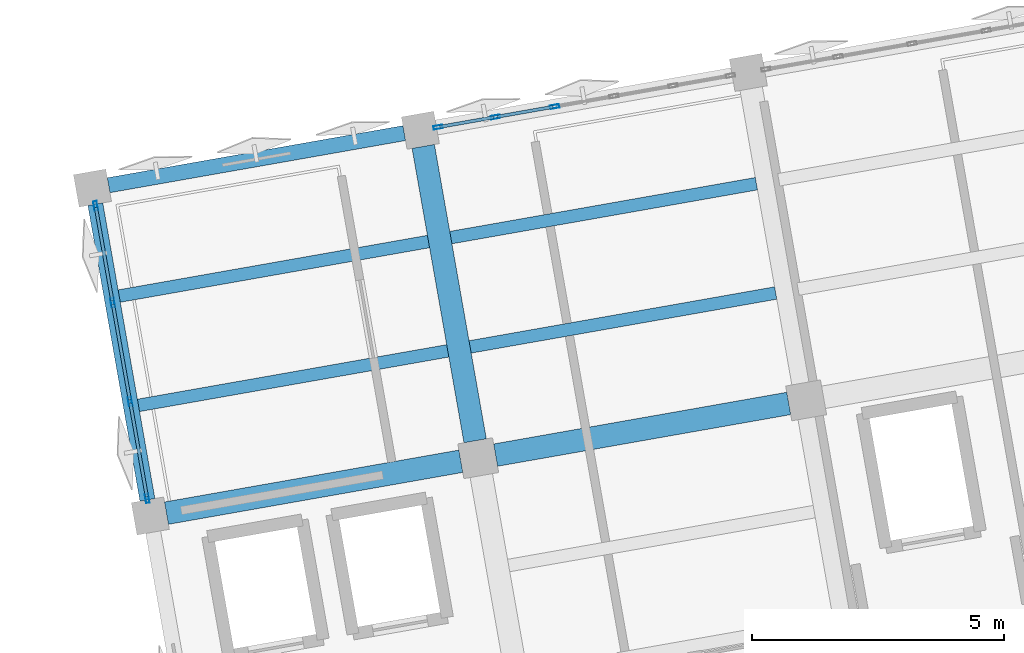
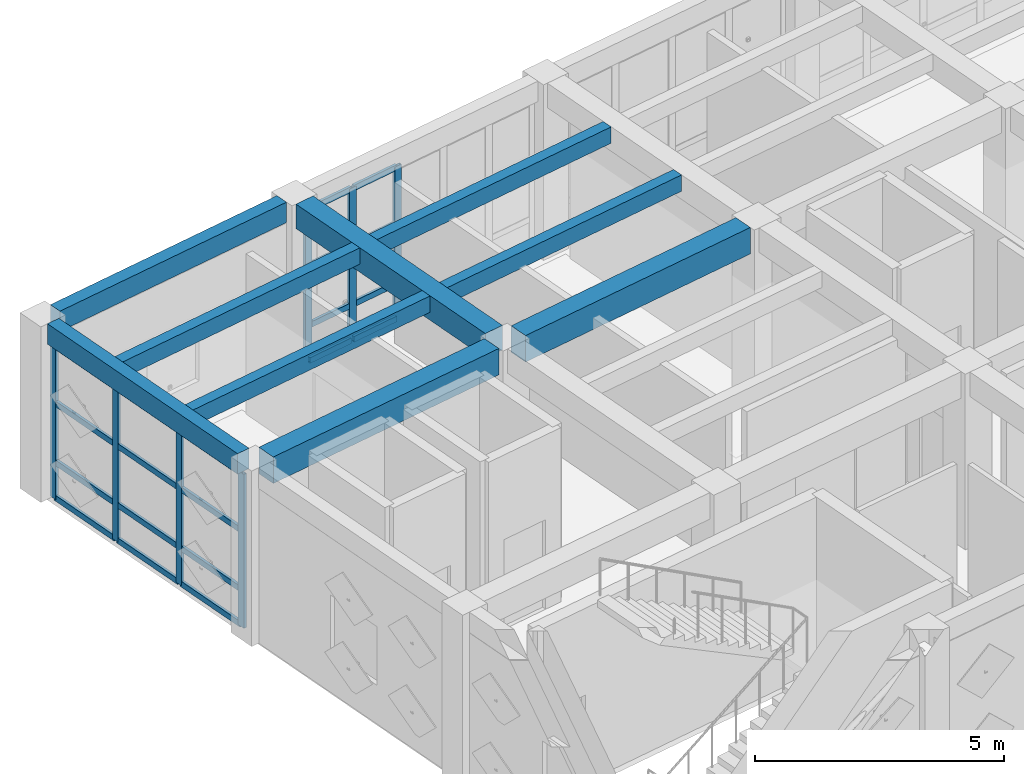
# One storey, part 14 of 48: 27 members, 9 beams, 2 elements without a shape of their own.
"""IFC4 building model written with IfcOpenShell, lengths in metres."""

import ifcopenshell
import ifcopenshell.guid

model = None  # the IFC model being written
_history = None  # IfcOwnerHistory: only IFC2X3 demands one
_inside = {}  # id of a spatial element -> (the spatial element, [elements in it])
_under = {}  # id of a project, library or spatial element -> (it, [spatial elements below it])
_declared = {}  # id of a project -> (the project, [libraries it declares])
_typed = {}  # id of a type object -> (the type object, [elements of that type])
_made_of = {}  # id of a material, layer set ... -> (it, [elements and type objects made of it])


def new_model(schema):
    """Start an empty IFC model of exactly this schema.

    Asked for "IFC4X3", IfcOpenShell would pick the latest addendum, in which some entities
    have other attributes; the version numbers below select the first issue.
    IFC2X3 requires an IfcOwnerHistory on every rooted entity: one is made here for all.
    """
    global model, _history
    if schema == "IFC4X3":
        model = ifcopenshell.file(schema_version=(4, 3, 0, 0))
    else:
        model = ifcopenshell.file(schema=schema)
    _inside.clear()
    _under.clear()
    _declared.clear()
    _typed.clear()
    _made_of.clear()
    _history = None
    if model.schema == "IFC2X3":
        org = make("IfcOrganization", Name="unknown")
        user = make(
            "IfcPersonAndOrganization",
            ThePerson=make("IfcPerson", FamilyName="unknown"),
            TheOrganization=org,
        )
        app = make(
            "IfcApplication",
            ApplicationDeveloper=org,
            Version="unknown",
            ApplicationFullName="unknown",
            ApplicationIdentifier="unknown",
        )
        _history = make(
            "IfcOwnerHistory",
            OwningUser=user,
            OwningApplication=app,
            ChangeAction="ADDED",
            CreationDate=0,
        )
    return model


def make(cls, **values):
    """One entity of the class cls with the attributes given. An attribute that is None is left unset."""
    return model.create_entity(
        cls, **{name: value for name, value in values.items() if value is not None}
    )


def rooted(cls, **values):
    """An entity with a GlobalId (a new one), such as an element, a storey or a relation."""
    return make(cls, GlobalId=ifcopenshell.guid.new(), OwnerHistory=_history, **values)


def si_unit(unit_type, name, prefix=None):
    """IfcSIUnit, for example si_unit("LENGTHUNIT", "METRE", prefix="MILLI")."""
    return make("IfcSIUnit", UnitType=unit_type, Prefix=prefix, Name=name)


def assignment(units):
    """IfcUnitAssignment: the units of a project."""
    return None if units is None else make("IfcUnitAssignment", Units=units)


def point(xyz):
    """IfcCartesianPoint."""
    return None if xyz is None else make("IfcCartesianPoint", Coordinates=xyz)


def direction(xyz):
    """IfcDirection."""
    return None if xyz is None else make("IfcDirection", DirectionRatios=xyz)


def frame(location, z_axis=None, x_axis=None):
    """IfcAxis2Placement3D, a coordinate frame: its origin and axes. An axis left out is left unset."""
    return make(
        "IfcAxis2Placement3D",
        Location=point(location),
        Axis=direction(z_axis),
        RefDirection=direction(x_axis),
    )


def frame_2d(location, x_axis=None):
    """IfcAxis2Placement2D, a coordinate frame in the plane: its origin and x axis."""
    return make(
        "IfcAxis2Placement2D", Location=point(location), RefDirection=direction(x_axis)
    )


def origin():
    """The frame at (0, 0, 0) with its axes left unset."""
    return frame((0.0, 0.0, 0.0))


def origin_2d():
    """The frame at (0, 0) in the plane with its x axis left unset."""
    return frame_2d((0.0, 0.0))


def place(relative_to, where):
    """IfcLocalPlacement: puts the frame where relative to a parent placement (None: the world)."""
    return make(
        "IfcLocalPlacement", PlacementRelTo=relative_to, RelativePlacement=where
    )


def context(
    kind, dimensions, precision=None, world=None, true_north=None, identifier=None
):
    """IfcGeometricRepresentationContext, for example the 3D "Model" context."""
    return make(
        "IfcGeometricRepresentationContext",
        ContextIdentifier=identifier,
        ContextType=kind,
        CoordinateSpaceDimension=dimensions,
        Precision=precision,
        WorldCoordinateSystem=world,
        TrueNorth=true_north,
    )


def subcontext(parent, identifier, kind, view, scale=None):
    """IfcGeometricRepresentationSubContext, for example "Body" below "Model"."""
    return make(
        "IfcGeometricRepresentationSubContext",
        ContextIdentifier=identifier,
        ContextType=kind,
        ParentContext=parent,
        TargetScale=scale,
        TargetView=view,
    )


def project(units=None, contexts=None):
    """IfcProject with its units and contexts."""
    return rooted(
        "IfcProject",
        Name="project",
        RepresentationContexts=contexts,
        UnitsInContext=assignment(units),
    )


def spatial(cls, under=None, at=None, **own):
    """A site, building, storey or space (cls), placed at a placement, below another one or the project."""
    s = rooted(cls, ObjectPlacement=at, **own)
    if under is not None:
        _under.setdefault(under.id(), (under, []))[1].append(s)
    return s


def profile(cls, at=None, kind="AREA", **sizes):
    """A parametric profile (cls). Its sizes go by their IFC names, for example OverallWidth=200.0."""
    return make(cls, ProfileType=kind, Position=at, **sizes)


def rectangle(**sizes):
    """IfcRectangleProfileDef."""
    return profile("IfcRectangleProfileDef", **sizes)


def hollow_rectangle(**sizes):
    """IfcRectangleHollowProfileDef."""
    return profile("IfcRectangleHollowProfileDef", **sizes)


def extrude(swept, where, along, depth):
    """IfcExtrudedAreaSolid: the profile swept, set in the frame where, extruded along a direction by depth."""
    return make(
        "IfcExtrudedAreaSolid",
        SweptArea=swept,
        Position=where,
        ExtrudedDirection=direction(along),
        Depth=depth,
    )


def shape(context_of_items, identifier, shape_type, items):
    """IfcShapeRepresentation: the items that make up one representation, for example the "Body"."""
    return make(
        "IfcShapeRepresentation",
        ContextOfItems=context_of_items,
        RepresentationIdentifier=identifier,
        RepresentationType=shape_type,
        Items=items,
    )


def material(Name=None, Category=None):
    """IfcMaterial."""
    return make("IfcMaterial", Name=Name, Category=Category)


def layer(
    of_material, thickness, ventilated=None, Name=None, Category=None, Priority=None
):
    """IfcMaterialLayer: one layer of a wall or slab, of a material (None: an air gap)."""
    return make(
        "IfcMaterialLayer",
        Material=of_material,
        LayerThickness=thickness,
        IsVentilated=ventilated,
        Name=Name,
        Category=Category,
        Priority=Priority,
    )


def layer_set(layers, Name=None):
    """IfcMaterialLayerSet."""
    return make("IfcMaterialLayerSet", MaterialLayers=layers, LayerSetName=Name)


def material_profile(
    of_material, cross_section, Name=None, Category=None, Priority=None
):
    """IfcMaterialProfile: a cross section and its material."""
    return make(
        "IfcMaterialProfile",
        Name=Name,
        Material=of_material,
        Profile=cross_section,
        Priority=Priority,
        Category=Category,
    )


def profile_set(profiles, Name=None, composite=None):
    """IfcMaterialProfileSet."""
    return make(
        "IfcMaterialProfileSet",
        Name=Name,
        MaterialProfiles=profiles,
        CompositeProfile=composite,
    )


def made_of(thing, what):
    """Note that an element or type object is made of a material, layer set ...; save() writes the relation."""
    if what is not None:
        _made_of.setdefault(what.id(), (what, []))[1].append(thing)
    return thing


def type_object(cls, material=None, **own):
    """A type object (cls), such as IfcWallType, which elements share."""
    return made_of(rooted(cls, **own), material)


def element(
    cls,
    number,
    at=None,
    inside=None,
    cuts=None,
    type_object=None,
    material=None,
    context=None,
    identifier="Body",
    shape_type=None,
    held_by="IfcProductDefinitionShape",
    body=None,
    shapes=None,
    **own,
):
    """One element of the class cls, such as IfcWall. Its Tag is "e" and its number.

    at: its placement. inside: the storey or other place that contains it. cuts: it is an
    opening in that element (IfcRelVoidsElement). A single representation is given by context,
    identifier, shape_type and body (its items); several are given by shapes. held_by: the class
    of the entity that holds the representations. save() writes the other relations.
    """
    e = rooted(cls, Tag="e%d" % number, ObjectPlacement=at, **own)
    if body is not None:
        shapes = [shape(context, identifier, shape_type, body)]
    if shapes is not None:
        e.Representation = make(held_by, Representations=shapes)
    if inside is not None:
        _inside.setdefault(inside.id(), (inside, []))[1].append(e)
    if cuts is not None:
        rooted(
            "IfcRelVoidsElement", RelatingBuildingElement=cuts, RelatedOpeningElement=e
        )
    if type_object is not None:
        _typed.setdefault(type_object.id(), (type_object, []))[1].append(e)
    return made_of(e, material)


def aggregate(whole, parts):
    """IfcRelAggregates: a whole, such as a stair, and the parts it consists of."""
    return rooted("IfcRelAggregates", RelatingObject=whole, RelatedObjects=parts)


def save(model, path):
    """Write the relations noted so far, then the file.

    IfcRelAggregates (storeys below a building ...), IfcRelContainedInSpatialStructure (elements
    in a storey), IfcRelDefinesByType, IfcRelAssociatesMaterial and IfcRelDeclares: one each for
    every whole, place, type object, material and project.
    """
    for whole, parts in _under.values():
        aggregate(whole, parts)
    for where, things in _inside.values():
        rooted(
            "IfcRelContainedInSpatialStructure",
            RelatedElements=things,
            RelatingStructure=where,
        )
    for kind, things in _typed.values():
        rooted("IfcRelDefinesByType", RelatedObjects=things, RelatingType=kind)
    for what, things in _made_of.values():
        rooted("IfcRelAssociatesMaterial", RelatedObjects=things, RelatingMaterial=what)
    for by, libraries in _declared.values():
        rooted("IfcRelDeclares", RelatingContext=by, RelatedDefinitions=libraries)
    model.write(path)


model = new_model("IFC4")

# Units and contexts
model_context = context("Model", 3, precision=1e-05, world=origin(), true_north=direction((0.0, 1.0)))
body_context = subcontext(model_context, "Body", "Model", "MODEL_VIEW")
ifc_project = project(units=[si_unit("LENGTHUNIT", "METRE"), si_unit("AREAUNIT", "SQUARE_METRE"), si_unit("VOLUMEUNIT", "CUBIC_METRE"), si_unit("PLANEANGLEUNIT", "RADIAN"), si_unit("MASSUNIT", "GRAM", prefix="KILO")], contexts=[model_context])

# Site, building, storey
site_placement = place(None, origin())
site = spatial("IfcSite", under=ifc_project, at=site_placement, CompositionType="ELEMENT")
building_placement = place(site_placement, origin())
building = spatial("IfcBuilding", under=site, at=building_placement, Name="Kharisveld Research Institute", CompositionType="ELEMENT")
storey_placement = place(building_placement, frame((0.0, 0.0, 14.10009765625)))
storey = spatial("IfcBuildingStorey", under=building, at=storey_placement, Name="L03", CompositionType="ELEMENT", Elevation=14.10009765625)

# Beams
ifc_material_1 = material(Name="Concrete C40/50", Category="concrete")
ifc_material_profile_1 = material_profile(ifc_material_1, rectangle(XDim=0.449951171875, YDim=0.60009765625, at=origin_2d()))
ifc_profile_set_1 = profile_set([ifc_material_profile_1], Name="Concrete C40/50")
beam_type_1 = type_object("IfcBeamType", Name="BM_RC_450x600", PredefinedType="BEAM", material=ifc_profile_set_1)
beam_1_placement = place(storey_placement, frame((9.3466796875, 49.500244140625, 4.010009765625), z_axis=(-0.173639592071, 0.984809266846, 0.0), x_axis=(-0.984809266846, -0.173639592071, 0.0)))
element("IfcBeam", 1, at=beam_1_placement, inside=storey, type_object=beam_type_1, Name="BM:V1:L03:V1_2", PredefinedType="BEAM", context=body_context, shape_type="SweptSolid", body=[
    extrude(rectangle(XDim=0.449951171875, YDim=0.60009765625, at=origin_2d()), origin(), (0.0, 0.0, 1.0), 5.925048828125),
])
ifc_material_2 = material(Name="Concrete C40/50", Category="concrete")
ifc_material_profile_2 = material_profile(ifc_material_2, rectangle(XDim=0.449951171875, YDim=0.64990234375, at=origin_2d()))
ifc_profile_set_2 = profile_set([ifc_material_profile_2], Name="Concrete C40/50")
beam_type_2 = type_object("IfcBeamType", Name="BM_RC_450x650", PredefinedType="BEAM", material=ifc_profile_set_2)
beam_2_placement = place(storey_placement, frame((3.22802734375, 48.06591796875, 3.98486328125), z_axis=(0.984809266846, 0.173639592071, 0.0), x_axis=(-0.173639592071, 0.984809266846, 0.0)))
element("IfcBeam", 2, at=beam_2_placement, inside=storey, type_object=beam_type_2, Name="BM:V1:L03:U0_2", PredefinedType="BEAM", context=body_context, shape_type="SweptSolid", body=[
    extrude(rectangle(XDim=0.449951171875, YDim=0.64990234375, at=origin_2d()), origin(), (0.0, 0.0, 1.0), 5.925048828125),
])
beam_3_placement = place(storey_placement, frame((9.752197265625, 49.21630859375, 3.98486328125), z_axis=(0.98481187206, 0.173624815763, 0.0), x_axis=(-0.173624815763, 0.98481187206, 0.0)))
element("IfcBeam", 3, at=beam_3_placement, inside=storey, type_object=beam_type_2, Name="BM:V1:L03:U1_2", PredefinedType="BEAM", context=body_context, shape_type="SweptSolid", body=[
    extrude(rectangle(XDim=0.449951171875, YDim=0.64990234375, at=origin_2d()), origin(), (0.0, 0.0, 1.0), 5.900146484375),
])

# Curtain wall, members
ifc_material_3 = material(Name="Thermally Broken Aluminium Curtain Wall", Category="aluminium")
ifc_layer_1 = layer(ifc_material_3, 0.159912109375)
ifc_layer_set_1 = layer_set([ifc_layer_1], Name="CW_SYS_06")
curtain_wall_type_1 = type_object("IfcCurtainWallType", Name="CW_SYS_06", PredefinedType="NOTDEFINED", material=ifc_layer_set_1)
curtain_wall_1_placement = place(storey_placement, origin())
curtain_wall_1 = element("IfcCurtainWall", 4, at=curtain_wall_1_placement, inside=storey, type_object=curtain_wall_type_1, Name="CW:V1:L03:W2", PredefinedType="NOTDEFINED")
ifc_material_4 = material(Name="Anodised Aluminium AW-6063-T6", Category="aluminium")
ifc_material_profile_3 = material_profile(ifc_material_4, hollow_rectangle(XDim=0.070068359375, YDim=0.179931640625, WallThickness=0.00439453125, at=origin_2d()))
ifc_profile_set_3 = profile_set([ifc_material_profile_3], Name="Anodised Aluminium AW-6063-T6")
member_type_1 = type_object("IfcMemberType", Name="CW_MUL_180", PredefinedType="MULLION", material=ifc_profile_set_3)
member_1_placement = place(storey_placement, frame((2.84619140625, 48.359130859375, 0.0), z_axis=(0.0, 0.0, 1.0), x_axis=(-0.984807737371, -0.173648266375, 0.0)))
member_1 = element("IfcMember", 5, at=member_1_placement, type_object=member_type_1, Name="CW-06 mullion 1", PredefinedType="MULLION", context=body_context, shape_type="SweptSolid", body=[
    extrude(hollow_rectangle(XDim=0.070068359375, YDim=0.179931640625, WallThickness=0.00439453125, at=origin_2d()), origin(), (0.0, 0.0, 1.0), 3.77978515625),
])
member_2_placement = place(storey_placement, frame((2.50732421875, 50.281005859375, 0.0), z_axis=(0.0, 0.0, 1.0), x_axis=(-0.984807737371, -0.173648266375, 0.0)))
member_2 = element("IfcMember", 6, at=member_2_placement, type_object=member_type_1, Name="CW-06 mullion 2", PredefinedType="MULLION", context=body_context, shape_type="SweptSolid", body=[
    extrude(hollow_rectangle(XDim=0.070068359375, YDim=0.179931640625, WallThickness=0.00439453125, at=origin_2d()), origin(), (0.0, 0.0, 1.0), 3.77978515625),
])
member_3_placement = place(storey_placement, frame((2.162353515625, 52.237548828125, 0.0), z_axis=(0.0, 0.0, 1.0), x_axis=(-0.984807737371, -0.173648266375, 0.0)))
member_3 = element("IfcMember", 7, at=member_3_placement, type_object=member_type_1, Name="CW-06 mullion 3", PredefinedType="MULLION", context=body_context, shape_type="SweptSolid", body=[
    extrude(hollow_rectangle(XDim=0.070068359375, YDim=0.179931640625, WallThickness=0.00439453125, at=origin_2d()), origin(), (0.0, 0.0, 1.0), 3.77978515625),
])
member_4_placement = place(storey_placement, frame((1.823486328125, 54.15966796875, 0.0), z_axis=(0.0, 0.0, 1.0), x_axis=(-0.984807737371, -0.173648266375, 0.0)))
member_4 = element("IfcMember", 8, at=member_4_placement, type_object=member_type_1, Name="CW-06 mullion 4", PredefinedType="MULLION", context=body_context, shape_type="SweptSolid", body=[
    extrude(hollow_rectangle(XDim=0.070068359375, YDim=0.179931640625, WallThickness=0.00439453125, at=origin_2d()), origin(), (0.0, 0.0, 1.0), 3.77978515625),
])

ifc_material_5 = material(Name="Thermally Broken Aluminium Curtain Wall", Category="aluminium")
ifc_layer_2 = layer(ifc_material_5, 0.159912109375)
ifc_layer_set_2 = layer_set([ifc_layer_2], Name="CW_SYS_01")
curtain_wall_type_2 = type_object("IfcCurtainWallType", Name="CW_SYS_01", PredefinedType="NOTDEFINED", material=ifc_layer_set_2)
curtain_wall_2_placement = place(storey_placement, origin())
curtain_wall_2 = element("IfcCurtainWall", 9, at=curtain_wall_2_placement, inside=storey, type_object=curtain_wall_type_2, Name="CW:V1:L03:N1", PredefinedType="NOTDEFINED")
member_5_placement = place(storey_placement, frame((8.611083984375, 55.716796875, 0.0), z_axis=(0.0, 0.0, 1.0), x_axis=(-0.173648295062, 0.984807732312, 0.0)))
member_5 = element("IfcMember", 10, at=member_5_placement, type_object=member_type_1, Name="CW-01 mullion 1", PredefinedType="MULLION", context=body_context, shape_type="SweptSolid", body=[
    extrude(hollow_rectangle(XDim=0.070068359375, YDim=0.179931640625, WallThickness=0.00439453125, at=origin_2d()), origin(), (0.0, 0.0, 1.0), 3.77978515625),
])
member_6_placement = place(storey_placement, frame((9.75048828125, 55.917724609375, 0.0), z_axis=(0.0, 0.0, 1.0), x_axis=(-0.173648295062, 0.984807732312, 0.0)))
member_6 = element("IfcMember", 11, at=member_6_placement, type_object=member_type_1, Name="CW-01 mullion 2", PredefinedType="MULLION", context=body_context, shape_type="SweptSolid", body=[
    extrude(hollow_rectangle(XDim=0.070068359375, YDim=0.179931640625, WallThickness=0.00439453125, at=origin_2d()), origin(), (0.0, 0.0, 1.0), 3.77978515625),
])
member_7_placement = place(storey_placement, frame((10.92431640625, 56.124755859375, 0.0), z_axis=(0.0, 0.0, 1.0), x_axis=(-0.173648295062, 0.984807732312, 0.0)))
member_7 = element("IfcMember", 12, at=member_7_placement, type_object=member_type_1, Name="CW-01 mullion 3", PredefinedType="MULLION", context=body_context, shape_type="SweptSolid", body=[
    extrude(hollow_rectangle(XDim=0.070068359375, YDim=0.179931640625, WallThickness=0.00439453125, at=origin_2d()), origin(), (0.0, 0.0, 1.0), 3.77978515625),
])

# Member
ifc_material_6 = material(Name="Anodised Aluminium AW-6063-T6", Category="aluminium")
ifc_material_profile_4 = material_profile(ifc_material_6, hollow_rectangle(XDim=0.06494140625, YDim=0.139892578125, WallThickness=0.00390625, at=origin_2d()))
ifc_profile_set_4 = profile_set([ifc_material_profile_4], Name="Anodised Aluminium AW-6063-T6")
member_type_2 = type_object("IfcMemberType", Name="CW_TRN_140", PredefinedType="USERDEFINED", material=ifc_profile_set_4)
member_8_placement = place(storey_placement, frame((2.840087890625, 48.3935546875, 0.032470703125), z_axis=(-0.173607684551, 0.984814892183, 0.0), x_axis=(-0.984814892183, -0.173607684551, 0.0)))
member_8 = element("IfcMember", 13, at=member_8_placement, type_object=member_type_2, Name="CW-06 transom 1.1", ObjectType="TRANSOM", PredefinedType="USERDEFINED", context=body_context, shape_type="SweptSolid", body=[
    extrude(hollow_rectangle(XDim=0.06494140625, YDim=0.139892578125, WallThickness=0.00390625, at=origin_2d()), origin(), (0.0, 0.0, 1.0), 1.881591796875),
])

member_9_placement = place(storey_placement, frame((2.840087890625, 48.3935546875, 0.89990234375), z_axis=(-0.173607684551, 0.984814892183, 0.0), x_axis=(-0.984814892183, -0.173607684551, 0.0)))
member_9 = element("IfcMember", 14, at=member_9_placement, type_object=member_type_2, Name="CW-06 transom 1.2", ObjectType="TRANSOM", PredefinedType="USERDEFINED", context=body_context, shape_type="SweptSolid", body=[
    extrude(hollow_rectangle(XDim=0.06494140625, YDim=0.139892578125, WallThickness=0.00390625, at=origin_2d()), origin(), (0.0, 0.0, 1.0), 1.881591796875),
])

member_10_placement = place(storey_placement, frame((2.840087890625, 48.3935546875, 2.349853515625), z_axis=(-0.173607684551, 0.984814892183, 0.0), x_axis=(-0.984814892183, -0.173607684551, 0.0)))
member_10 = element("IfcMember", 15, at=member_10_placement, type_object=member_type_2, Name="CW-06 transom 1.3", ObjectType="TRANSOM", PredefinedType="USERDEFINED", context=body_context, shape_type="SweptSolid", body=[
    extrude(hollow_rectangle(XDim=0.06494140625, YDim=0.139892578125, WallThickness=0.00390625, at=origin_2d()), origin(), (0.0, 0.0, 1.0), 1.881591796875),
])

member_11_placement = place(storey_placement, frame((2.840087890625, 48.3935546875, 3.747314453125), z_axis=(-0.173607684551, 0.984814892183, 0.0), x_axis=(-0.984814892183, -0.173607684551, 0.0)))
member_11 = element("IfcMember", 16, at=member_11_placement, type_object=member_type_2, Name="CW-06 transom 1.4", ObjectType="TRANSOM", PredefinedType="USERDEFINED", context=body_context, shape_type="SweptSolid", body=[
    extrude(hollow_rectangle(XDim=0.06494140625, YDim=0.139892578125, WallThickness=0.00390625, at=origin_2d()), origin(), (0.0, 0.0, 1.0), 1.881591796875),
])

member_12_placement = place(storey_placement, frame((2.501220703125, 50.315673828125, 0.032470703125), z_axis=(-0.173625459441, 0.984811758578, 0.0), x_axis=(-0.984811758578, -0.173625459441, 0.0)))
member_12 = element("IfcMember", 17, at=member_12_placement, type_object=member_type_2, Name="CW-06 transom 2.1", ObjectType="TRANSOM", PredefinedType="USERDEFINED", context=body_context, shape_type="SweptSolid", body=[
    extrude(hollow_rectangle(XDim=0.06494140625, YDim=0.139892578125, WallThickness=0.00390625, at=origin_2d()), origin(), (0.0, 0.0, 1.0), 1.91650390625),
])

member_13_placement = place(storey_placement, frame((2.501220703125, 50.315673828125, 0.89990234375), z_axis=(-0.173625459441, 0.984811758578, 0.0), x_axis=(-0.984811758578, -0.173625459441, 0.0)))
member_13 = element("IfcMember", 18, at=member_13_placement, type_object=member_type_2, Name="CW-06 transom 2.2", ObjectType="TRANSOM", PredefinedType="USERDEFINED", context=body_context, shape_type="SweptSolid", body=[
    extrude(hollow_rectangle(XDim=0.06494140625, YDim=0.139892578125, WallThickness=0.00390625, at=origin_2d()), origin(), (0.0, 0.0, 1.0), 1.91650390625),
])

member_14_placement = place(storey_placement, frame((2.501220703125, 50.315673828125, 2.349853515625), z_axis=(-0.173625459441, 0.984811758578, 0.0), x_axis=(-0.984811758578, -0.173625459441, 0.0)))
member_14 = element("IfcMember", 19, at=member_14_placement, type_object=member_type_2, Name="CW-06 transom 2.3", ObjectType="TRANSOM", PredefinedType="USERDEFINED", context=body_context, shape_type="SweptSolid", body=[
    extrude(hollow_rectangle(XDim=0.06494140625, YDim=0.139892578125, WallThickness=0.00390625, at=origin_2d()), origin(), (0.0, 0.0, 1.0), 1.91650390625),
])

member_15_placement = place(storey_placement, frame((2.501220703125, 50.315673828125, 3.747314453125), z_axis=(-0.173625459441, 0.984811758578, 0.0), x_axis=(-0.984811758578, -0.173625459441, 0.0)))
member_15 = element("IfcMember", 20, at=member_15_placement, type_object=member_type_2, Name="CW-06 transom 2.4", ObjectType="TRANSOM", PredefinedType="USERDEFINED", context=body_context, shape_type="SweptSolid", body=[
    extrude(hollow_rectangle(XDim=0.06494140625, YDim=0.139892578125, WallThickness=0.00390625, at=origin_2d()), origin(), (0.0, 0.0, 1.0), 1.91650390625),
])

member_16_placement = place(storey_placement, frame((2.15625, 52.27197265625, 0.032470703125), z_axis=(-0.173607684551, 0.984814892183, 0.0), x_axis=(-0.984814892183, -0.173607684551, 0.0)))
member_16 = element("IfcMember", 21, at=member_16_placement, type_object=member_type_2, Name="CW-06 transom 3.1", ObjectType="TRANSOM", PredefinedType="USERDEFINED", context=body_context, shape_type="SweptSolid", body=[
    extrude(hollow_rectangle(XDim=0.06494140625, YDim=0.139892578125, WallThickness=0.00390625, at=origin_2d()), origin(), (0.0, 0.0, 1.0), 1.881591796875),
])

member_17_placement = place(storey_placement, frame((2.15625, 52.27197265625, 0.89990234375), z_axis=(-0.173607684551, 0.984814892183, 0.0), x_axis=(-0.984814892183, -0.173607684551, 0.0)))
member_17 = element("IfcMember", 22, at=member_17_placement, type_object=member_type_2, Name="CW-06 transom 3.2", ObjectType="TRANSOM", PredefinedType="USERDEFINED", context=body_context, shape_type="SweptSolid", body=[
    extrude(hollow_rectangle(XDim=0.06494140625, YDim=0.139892578125, WallThickness=0.00390625, at=origin_2d()), origin(), (0.0, 0.0, 1.0), 1.881591796875),
])

member_18_placement = place(storey_placement, frame((2.15625, 52.27197265625, 2.349853515625), z_axis=(-0.173607684551, 0.984814892183, 0.0), x_axis=(-0.984814892183, -0.173607684551, 0.0)))
member_18 = element("IfcMember", 23, at=member_18_placement, type_object=member_type_2, Name="CW-06 transom 3.3", ObjectType="TRANSOM", PredefinedType="USERDEFINED", context=body_context, shape_type="SweptSolid", body=[
    extrude(hollow_rectangle(XDim=0.06494140625, YDim=0.139892578125, WallThickness=0.00390625, at=origin_2d()), origin(), (0.0, 0.0, 1.0), 1.881591796875),
])

member_19_placement = place(storey_placement, frame((2.15625, 52.27197265625, 3.747314453125), z_axis=(-0.173607684551, 0.984814892183, 0.0), x_axis=(-0.984814892183, -0.173607684551, 0.0)))
member_19 = element("IfcMember", 24, at=member_19_placement, type_object=member_type_2, Name="CW-06 transom 3.4", ObjectType="TRANSOM", PredefinedType="USERDEFINED", context=body_context, shape_type="SweptSolid", body=[
    extrude(hollow_rectangle(XDim=0.06494140625, YDim=0.139892578125, WallThickness=0.00390625, at=origin_2d()), origin(), (0.0, 0.0, 1.0), 1.881591796875),
])

aggregate(curtain_wall_1, [member_1, member_2, member_3, member_4, member_8, member_9, member_10, member_11, member_12, member_13, member_14, member_15, member_16, member_17, member_18, member_19])

member_20_placement = place(storey_placement, frame((8.6455078125, 55.722900390625, 0.032470703125), z_axis=(0.984776775495, 0.173823768354, 0.0), x_axis=(-0.173823768354, 0.984776775495, 0.0)))
member_20 = element("IfcMember", 25, at=member_20_placement, type_object=member_type_2, Name="CW-01 transom 1.1", ObjectType="TRANSOM", PredefinedType="USERDEFINED", context=body_context, shape_type="SweptSolid", body=[
    extrude(hollow_rectangle(XDim=0.06494140625, YDim=0.139892578125, WallThickness=0.00390625, at=origin_2d()), origin(), (0.0, 0.0, 1.0), 1.087158203125),
])

member_21_placement = place(storey_placement, frame((8.6455078125, 55.722900390625, 0.89990234375), z_axis=(0.984776775495, 0.173823768354, 0.0), x_axis=(-0.173823768354, 0.984776775495, 0.0)))
member_21 = element("IfcMember", 26, at=member_21_placement, type_object=member_type_2, Name="CW-01 transom 1.2", ObjectType="TRANSOM", PredefinedType="USERDEFINED", context=body_context, shape_type="SweptSolid", body=[
    extrude(hollow_rectangle(XDim=0.06494140625, YDim=0.139892578125, WallThickness=0.00390625, at=origin_2d()), origin(), (0.0, 0.0, 1.0), 1.087158203125),
])

member_22_placement = place(storey_placement, frame((8.6455078125, 55.722900390625, 2.349853515625), z_axis=(0.984776775495, 0.173823768354, 0.0), x_axis=(-0.173823768354, 0.984776775495, 0.0)))
member_22 = element("IfcMember", 27, at=member_22_placement, type_object=member_type_2, Name="CW-01 transom 1.3", ObjectType="TRANSOM", PredefinedType="USERDEFINED", context=body_context, shape_type="SweptSolid", body=[
    extrude(hollow_rectangle(XDim=0.06494140625, YDim=0.139892578125, WallThickness=0.00390625, at=origin_2d()), origin(), (0.0, 0.0, 1.0), 1.087158203125),
])

member_23_placement = place(storey_placement, frame((8.6455078125, 55.722900390625, 3.747314453125), z_axis=(0.984776775495, 0.173823768354, 0.0), x_axis=(-0.173823768354, 0.984776775495, 0.0)))
member_23 = element("IfcMember", 28, at=member_23_placement, type_object=member_type_2, Name="CW-01 transom 1.4", ObjectType="TRANSOM", PredefinedType="USERDEFINED", context=body_context, shape_type="SweptSolid", body=[
    extrude(hollow_rectangle(XDim=0.06494140625, YDim=0.139892578125, WallThickness=0.00390625, at=origin_2d()), origin(), (0.0, 0.0, 1.0), 1.087158203125),
])

member_24_placement = place(storey_placement, frame((9.784912109375, 55.923828125, 0.032470703125), z_axis=(0.984809833526, 0.173636378072, 0.0), x_axis=(-0.173636378072, 0.984809833526, 0.0)))
member_24 = element("IfcMember", 29, at=member_24_placement, type_object=member_type_2, Name="CW-01 transom 2.1", ObjectType="TRANSOM", PredefinedType="USERDEFINED", context=body_context, shape_type="SweptSolid", body=[
    extrude(hollow_rectangle(XDim=0.06494140625, YDim=0.139892578125, WallThickness=0.00390625, at=origin_2d()), origin(), (0.0, 0.0, 1.0), 1.1220703125),
])

member_25_placement = place(storey_placement, frame((9.784912109375, 55.923828125, 0.89990234375), z_axis=(0.984809833526, 0.173636378072, 0.0), x_axis=(-0.173636378072, 0.984809833526, 0.0)))
member_25 = element("IfcMember", 30, at=member_25_placement, type_object=member_type_2, Name="CW-01 transom 2.2", ObjectType="TRANSOM", PredefinedType="USERDEFINED", context=body_context, shape_type="SweptSolid", body=[
    extrude(hollow_rectangle(XDim=0.06494140625, YDim=0.139892578125, WallThickness=0.00390625, at=origin_2d()), origin(), (0.0, 0.0, 1.0), 1.1220703125),
])

member_26_placement = place(storey_placement, frame((9.784912109375, 55.923828125, 2.349853515625), z_axis=(0.984809833526, 0.173636378072, 0.0), x_axis=(-0.173636378072, 0.984809833526, 0.0)))
member_26 = element("IfcMember", 31, at=member_26_placement, type_object=member_type_2, Name="CW-01 transom 2.3", ObjectType="TRANSOM", PredefinedType="USERDEFINED", context=body_context, shape_type="SweptSolid", body=[
    extrude(hollow_rectangle(XDim=0.06494140625, YDim=0.139892578125, WallThickness=0.00390625, at=origin_2d()), origin(), (0.0, 0.0, 1.0), 1.1220703125),
])

member_27_placement = place(storey_placement, frame((9.784912109375, 55.923828125, 3.747314453125), z_axis=(0.984809833526, 0.173636378072, 0.0), x_axis=(-0.173636378072, 0.984809833526, 0.0)))
member_27 = element("IfcMember", 32, at=member_27_placement, type_object=member_type_2, Name="CW-01 transom 2.4", ObjectType="TRANSOM", PredefinedType="USERDEFINED", context=body_context, shape_type="SweptSolid", body=[
    extrude(hollow_rectangle(XDim=0.06494140625, YDim=0.139892578125, WallThickness=0.00390625, at=origin_2d()), origin(), (0.0, 0.0, 1.0), 1.1220703125),
])

aggregate(curtain_wall_2, [member_5, member_6, member_7, member_20, member_21, member_22, member_23, member_24, member_25, member_26, member_27])

# Beams
ifc_material_7 = material(Name="Concrete C40/50", Category="concrete")
ifc_material_profile_5 = material_profile(ifc_material_7, rectangle(XDim=0.300048828125, YDim=0.5, at=origin_2d()))
ifc_profile_set_5 = profile_set([ifc_material_profile_5], Name="Concrete C40/50")
beam_type_3 = type_object("IfcBeamType", Name="SP_RC_300x500", PredefinedType="SPANDREL", material=ifc_profile_set_5)
for number, where, z_axis, x_axis, name in (
    (33, (2.081787109375, 54.565673828125, 4.059814453125), (0.984807920462, 0.173647228007, 0.0), (-0.173647228007, 0.984807920462, 0.0), "BM:V1:L03:U0_3"),
    (34, (2.851318359375, 48.32958984375, 4.059814453125), (-0.173647228007, 0.984807920462, 0.0), (-0.984807920462, -0.173647228007, 0.0), "BM:V1:L03:V0_2"),
):
    element("IfcBeam", number, at=place(storey_placement, frame(where, z_axis=z_axis, x_axis=x_axis)), inside=storey, type_object=beam_type_3, Name=name, PredefinedType="SPANDREL", context=body_context, shape_type="SweptSolid", body=[
        extrude(rectangle(XDim=0.300048828125, YDim=0.5, at=origin_2d()), origin(), (0.0, 0.0, 1.0), 5.949951171875),
    ])
ifc_material_8 = material(Name="Concrete C40/50", Category="concrete")
ifc_material_profile_6 = material_profile(ifc_material_8, rectangle(XDim=0.25, YDim=0.39990234375, at=origin_2d()))
ifc_profile_set_6 = profile_set([ifc_material_profile_6], Name="Concrete C40/50")
beam_type_4 = type_object("IfcBeamType", Name="WB_RC_250x400", PredefinedType="JOIST", material=ifc_profile_set_6)
for number, where, z_axis, x_axis, name in (
    (35, (2.673583984375, 50.2021484375, 4.10986328125), (0.984811579018, 0.17362647791, 0.0), (-0.17362647791, 0.984811579018, 0.0), "BM:V1:L03:J_0_2_R1"),
    (36, (2.29150390625, 52.36865234375, 4.10986328125), (0.984804872144, 0.173664515088, 0.0), (-0.173664515088, 0.984804872144, 0.0), "BM:V1:L03:J_0_2_R2"),
):
    element("IfcBeam", number, at=place(storey_placement, frame(where, z_axis=z_axis, x_axis=x_axis)), inside=storey, type_object=beam_type_4, Name=name, PredefinedType="JOIST", context=body_context, shape_type="SweptSolid", body=[
        extrude(rectangle(XDim=0.25, YDim=0.39990234375, at=origin_2d()), origin(), (0.0, 0.0, 1.0), 6.224853515625),
    ])
for number, where, z_axis, x_axis, name in (
    (37, (9.2470703125, 51.361083984375, 4.10986328125), (0.984803134643, 0.173674367706, 0.0), (-0.173674367706, 0.984803134643, 0.0), "BM:V1:L03:J_1_2_R1"),
    (38, (8.864990234375, 53.52783203125, 4.10986328125), (0.984809923515, 0.173635867682, 0.0), (-0.173635867682, 0.984809923515, 0.0), "BM:V1:L03:J_1_2_R2"),
):
    element("IfcBeam", number, at=place(storey_placement, frame(where, z_axis=z_axis, x_axis=x_axis)), inside=storey, type_object=beam_type_4, Name=name, PredefinedType="JOIST", context=body_context, shape_type="SweptSolid", body=[
        extrude(rectangle(XDim=0.25, YDim=0.39990234375, at=origin_2d()), origin(), (0.0, 0.0, 1.0), 6.150146484375),
    ])

save(model, "model.ifc")
